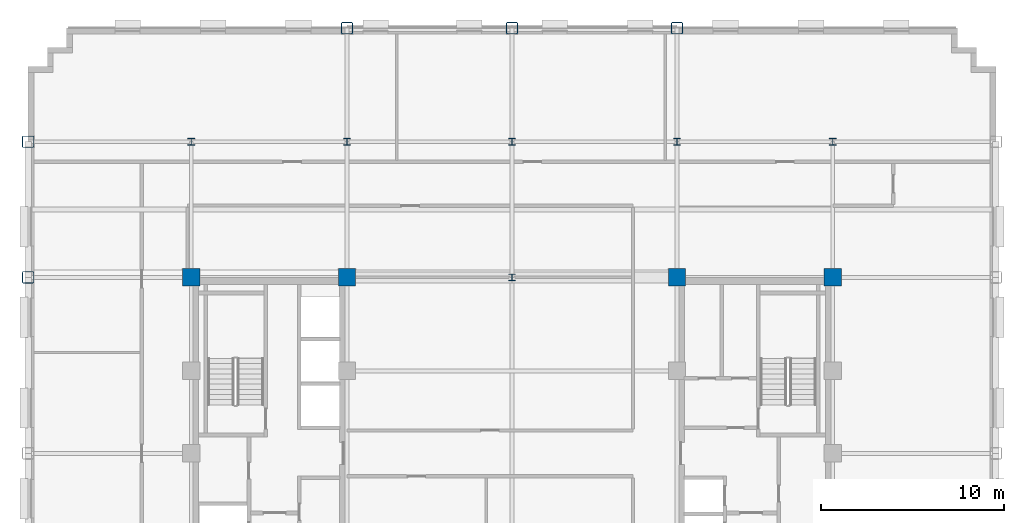
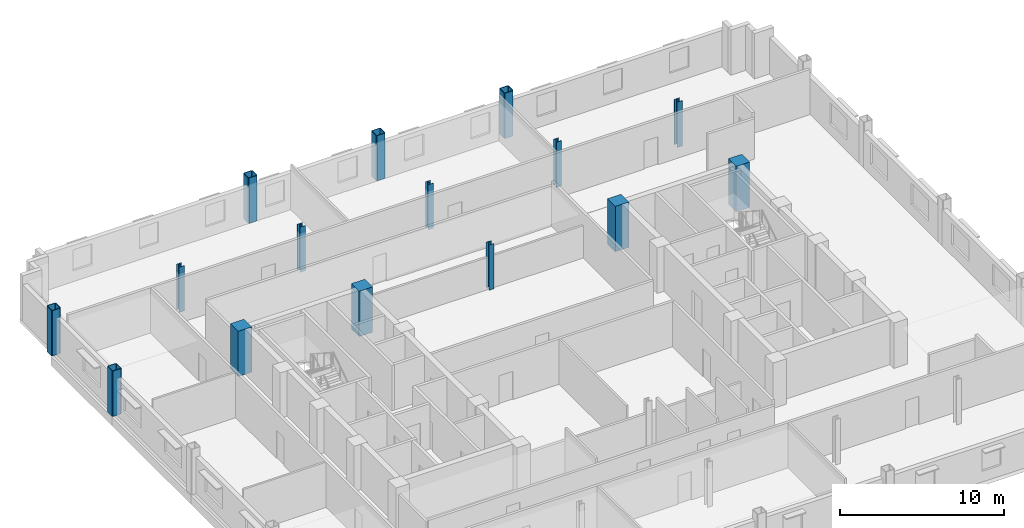
# One storey, part 3 of 13: 15 columns.
"""IFC4 building model written with IfcOpenShell, lengths in metres."""

from ifc_helpers import new_model, si_unit, direction, frame, origin, origin_2d, place, context, subcontext, project, spatial, rectangle, hollow_rectangle, i_section, extrude, material, material_profile, profile_set, type_object, element, save


model = new_model("IFC4")

# Units and contexts
model_context = context("Model", 3, precision=1e-05, world=origin(), true_north=direction((0.0, 1.0)))
body_context = subcontext(model_context, "Body", "Model", "MODEL_VIEW")
ifc_project = project(units=[si_unit("LENGTHUNIT", "METRE"), si_unit("AREAUNIT", "SQUARE_METRE"), si_unit("VOLUMEUNIT", "CUBIC_METRE"), si_unit("PLANEANGLEUNIT", "RADIAN"), si_unit("MASSUNIT", "GRAM", prefix="KILO")], contexts=[model_context])

# Site, building, storey
site_placement = place(None, origin())
site = spatial("IfcSite", under=ifc_project, at=site_placement, CompositionType="ELEMENT")
building_placement = place(site_placement, origin())
building = spatial("IfcBuilding", under=site, at=building_placement, Name="Nuvemarco Arch Tower", CompositionType="ELEMENT")
storey_placement = place(building_placement, frame((0.0, 0.0, 156.699951171875)))
storey = spatial("IfcBuildingStorey", under=building, at=storey_placement, Name="L41", CompositionType="ELEMENT", Elevation=156.699951171875)

# Columns
ifc_material_1 = material(Name="Concrete C50/60", Category="concrete")
ifc_material_profile_1 = material_profile(ifc_material_1, rectangle(XDim=0.949951171875, YDim=0.949951171875, at=origin_2d()), Name="RC-COL-950x950")
ifc_profile_set_1 = profile_set([ifc_material_profile_1], Name="Concrete C50/60")
column_type_1 = type_object("IfcColumnType", Name="COL-CORE-950", PredefinedType="COLUMN", material=ifc_profile_set_1)
for number, where, z_axis, x_axis, name in (
    (1, (-17.5, 9.60009765625, 0.0), (0.0, 0.0, 1.0), (1.0, 0.0, 0.0), "L41 column CC_-17.5_+9.6"),
    (2, (-9.0, 9.60009765625, 0.0), (0.0, 0.0, 1.0), (1.0, 0.0, 0.0), "L41 column CC_-9.0_+9.6"),
    (3, (9.0, 9.60009765625, 0.0), (0.0, 0.0, 1.0), (1.0, 0.0, 0.0), "L41 column CC_+9.0_+9.6"),
    (4, (17.5, 9.60009765625, 0.0), (0.0, 0.0, 1.0), (1.0, 0.0, 0.0), "L41 column CC_+17.5_+9.6"),
):
    element("IfcColumn", number, at=place(storey_placement, frame(where, z_axis=z_axis, x_axis=x_axis)), inside=storey, type_object=column_type_1, Name=name, PredefinedType="COLUMN", context=body_context, shape_type="SweptSolid", body=[
        extrude(rectangle(XDim=0.949951171875, YDim=0.949951171875, at=origin_2d()), origin(), (0.0, 0.0, 1.0), 3.3701171875),
    ])
ifc_material_2 = material(Name="Steel S355", Category="steel")
ifc_material_profile_2 = material_profile(ifc_material_2, hollow_rectangle(XDim=0.64990234375, YDim=0.64990234375, WallThickness=0.0400390625, InnerFilletRadius=0.0400390625, OuterFilletRadius=0.080078125, at=origin_2d()), Name="SHS650x650x40")
ifc_profile_set_2 = profile_set([ifc_material_profile_2], Name="Steel S355")
column_type_2 = type_object("IfcColumnType", Name="COL-EXO-650", PredefinedType="COLUMN", material=ifc_profile_set_2)
for number, where, z_axis, x_axis, name in (
    (5, (-26.39990234375, 9.60009765625, 0.0), (0.0, 0.0, 1.0), (1.0, 0.0, 0.0), "L41 column CX_-26.4_+9.6"),
    (6, (-26.39990234375, 17.0, 0.0), (0.0, 0.0, 1.0), (1.0, 0.0, 0.0), "L41 column CX_-26.4_+17.0"),
    (7, (-9.0, 23.199951171875, 0.0), (0.0, 0.0, 1.0), (1.0, 0.0, 0.0), "L41 column CY_-9.0_+23.2"),
    (8, (0.0, 23.199951171875, 0.0), (0.0, 0.0, 1.0), (1.0, 0.0, 0.0), "L41 column CY_+0.0_+23.2"),
    (9, (9.0, 23.199951171875, 0.0), (0.0, 0.0, 1.0), (1.0, 0.0, 0.0), "L41 column CY_+9.0_+23.2"),
):
    element("IfcColumn", number, at=place(storey_placement, frame(where, z_axis=z_axis, x_axis=x_axis)), inside=storey, type_object=column_type_2, Name=name, PredefinedType="COLUMN", context=body_context, shape_type="SweptSolid", body=[
        extrude(hollow_rectangle(XDim=0.64990234375, YDim=0.64990234375, WallThickness=0.0400390625, InnerFilletRadius=0.0400390625, OuterFilletRadius=0.080078125, at=origin_2d()), origin(), (0.0, 0.0, 1.0), 3.3701171875),
    ])
ifc_material_profile_3 = material_profile(ifc_material_2, i_section(OverallWidth=0.360107421875, OverallDepth=0.360107421875, WebThickness=0.0205078125, FlangeThickness=0.0205078125, FilletRadius=0.01806640625, at=origin_2d()), Name="HP360x174")
ifc_profile_set_3 = profile_set([ifc_material_profile_3], Name="Steel S355")
column_type_3 = type_object("IfcColumnType", Name="COL-STL-HP360", PredefinedType="COLUMN", material=ifc_profile_set_3)
for number, where, z_axis, x_axis, name in (
    (10, (0.0, 9.60009765625, 0.0), (0.0, 0.0, 1.0), (1.0, 0.0, 0.0), "L41 column CI_+0.0_+9.6"),
    (11, (0.0, 17.0, 0.0), (0.0, 0.0, 1.0), (1.0, 0.0, 0.0), "L41 column CI_+0.0_+17.0"),
    (12, (-17.5, 17.0, 0.0), (0.0, 0.0, 1.0), (1.0, 0.0, 0.0), "L41 column CI_-17.5_+17.0"),
    (13, (-9.0, 17.0, 0.0), (0.0, 0.0, 1.0), (1.0, 0.0, 0.0), "L41 column CI_-9.0_+17.0"),
    (14, (9.0, 17.0, 0.0), (0.0, 0.0, 1.0), (1.0, 0.0, 0.0), "L41 column CI_+9.0_+17.0"),
    (15, (17.5, 17.0, 0.0), (0.0, 0.0, 1.0), (1.0, 0.0, 0.0), "L41 column CI_+17.5_+17.0"),
):
    element("IfcColumn", number, at=place(storey_placement, frame(where, z_axis=z_axis, x_axis=x_axis)), inside=storey, type_object=column_type_3, Name=name, PredefinedType="COLUMN", context=body_context, shape_type="SweptSolid", body=[
        extrude(i_section(OverallWidth=0.360107421875, OverallDepth=0.360107421875, WebThickness=0.0205078125, FlangeThickness=0.0205078125, FilletRadius=0.01806640625, at=origin_2d()), origin(), (0.0, 0.0, 1.0), 3.3701171875),
    ])

save(model, "model.ifc")
